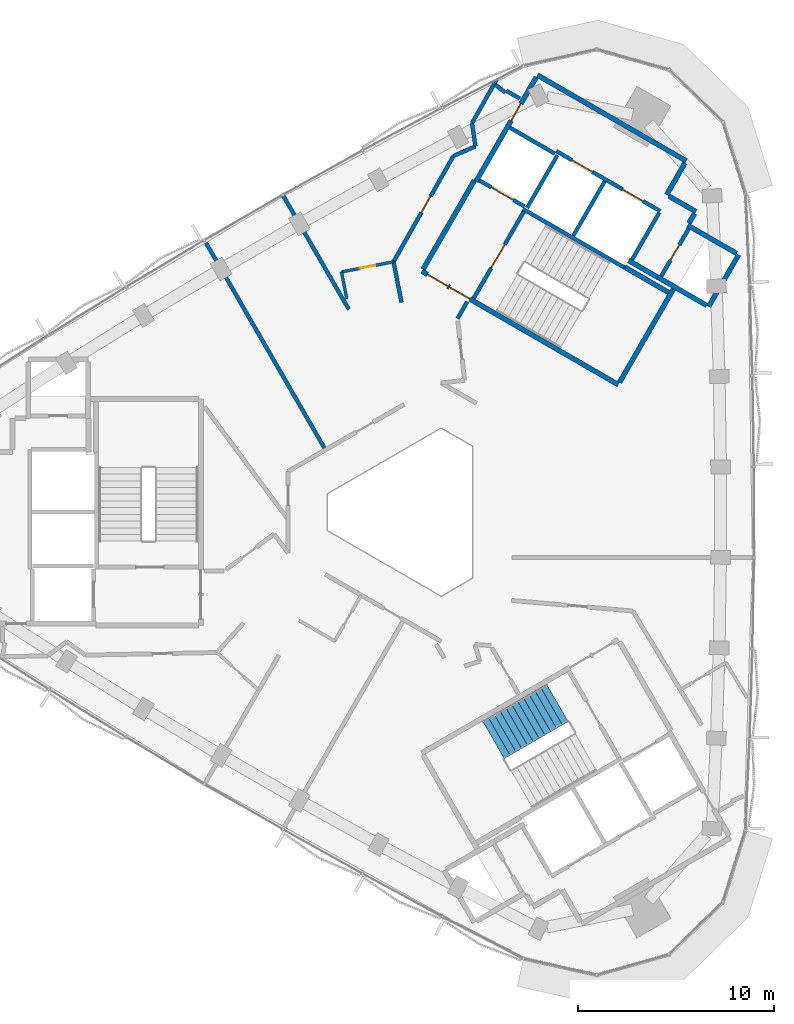
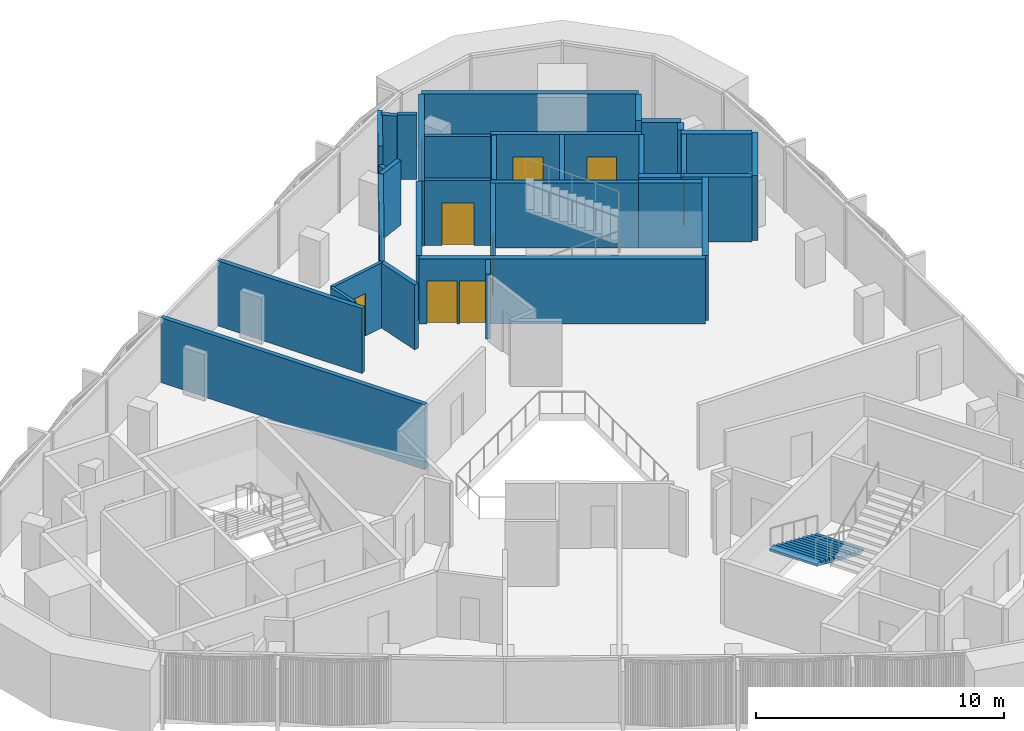
# One storey, part 8 of 13: 34 walls, 10 doors, 1 stair flight, 10 openings, 1 element without a shape of its own.
"""IFC4 building model written with IfcOpenShell, lengths in metres."""

from ifc_helpers import new_model, si_unit, direction, frame, frame_2d, origin, place, context, subcontext, project, spatial, polyline, rectangle, outline, extrude, material, layer, layer_set, type_object, element, fill, aggregate, save


model = new_model("IFC4")

# Units and contexts
model_context = context("Model", 3, precision=1e-05, world=origin(), true_north=direction((0.0, 1.0)))
body_context = subcontext(model_context, "Body", "Model", "MODEL_VIEW")
ifc_project = project(units=[si_unit("LENGTHUNIT", "METRE"), si_unit("AREAUNIT", "SQUARE_METRE"), si_unit("VOLUMEUNIT", "CUBIC_METRE"), si_unit("PLANEANGLEUNIT", "RADIAN"), si_unit("MASSUNIT", "GRAM", prefix="KILO")], contexts=[model_context])

# Site, building, storey
site_placement = place(None, origin())
site = spatial("IfcSite", under=ifc_project, at=site_placement, CompositionType="ELEMENT")
building_placement = place(site_placement, origin())
building = spatial("IfcBuilding", under=site, at=building_placement, Name="Tamra Quay Hotel Tower", CompositionType="ELEMENT")
storey_placement = place(building_placement, frame((0.0, 0.0, 298.199951171875)))
storey = spatial("IfcBuildingStorey", under=building, at=storey_placement, Name="L75", CompositionType="ELEMENT", Elevation=298.199951171875)

# Wall, openings, doors
ifc_material_1 = material(Name="Concrete M70", Category="concrete")
ifc_layer_1 = layer(ifc_material_1, 0.199951171875)
ifc_layer_set_1 = layer_set([ifc_layer_1], Name="Concrete M70 core wall 200")
wall_type_1 = type_object("IfcWallType", Name="Concrete M70 core wall 200", PredefinedType="SHEAR", material=ifc_layer_set_1)
wall_1_placement = place(storey_placement, frame((12.552490234375, 15.341552734375, 0.0), z_axis=(0.0, 0.0, 1.0), x_axis=(-0.866030299012, 0.499991521122, 0.0)))
wall_1 = element("IfcWall", 1, at=wall_1_placement, inside=storey, type_object=wall_type_1, Name="CW2", PredefinedType="SHEAR", context=body_context, shape_type="SweptSolid", body=[
    extrude(rectangle(XDim=6.10009765625, YDim=0.199951171875, at=frame_2d((3.050048828125, 0.0))), origin(), (0.0, 0.0, 1.0), 3.199951171875),
])
opening_1_placement = place(wall_1_placement, frame((1.0, 0.0, 0.0)))
opening_1 = element("IfcOpeningElement", 2, at=opening_1_placement, cuts=wall_1, Name="Opening LD", PredefinedType="OPENING", context=body_context, shape_type="SweptSolid", body=[
    extrude(rectangle(XDim=1.199951171875, YDim=2.10009765625, at=frame_2d((0.60009765625, 1.050048828125))), frame((0.0, 0.10986328125, 0.0), z_axis=(0.0, -1.0, 0.0), x_axis=(1.0, 0.0, 0.0)), (0.0, 0.0, 1.0), 0.219970703125),
])
opening_2_placement = place(wall_1_placement, frame((3.982177734375, 0.0, 0.0)))
opening_2 = element("IfcOpeningElement", 3, at=opening_2_placement, cuts=wall_1, Name="Opening LD", PredefinedType="OPENING", context=body_context, shape_type="SweptSolid", body=[
    extrude(rectangle(XDim=1.199951171875, YDim=2.10009765625, at=frame_2d((0.60009765625, 1.050048828125))), frame((0.0, 0.10986328125, 0.0), z_axis=(0.0, -1.0, 0.0), x_axis=(1.0, 0.0, 0.0)), (0.0, 0.0, 1.0), 0.219970703125),
])
ifc_material_2 = material(Name="Landing door LD 1200 double door sliding")
door_type_1 = type_object("IfcDoorType", Name="Landing door LD 1200 double door sliding", OperationType="DOUBLE_DOOR_SLIDING", PredefinedType="DOOR", material=ifc_material_2)
door_1_placement = place(opening_1_placement, origin())
door_1 = element("IfcDoor", 4, at=door_1_placement, inside=storey, type_object=door_type_1, Name="LD", OperationType="DOUBLE_DOOR_SLIDING", OverallHeight=2.10009765625, OverallWidth=1.199951171875, PredefinedType="DOOR", context=body_context, shape_type="SweptSolid", body=[
    extrude(rectangle(XDim=1.199951171875, YDim=2.10009765625, at=frame_2d((0.60009765625, 1.050048828125))), frame((0.0, 0.02490234375, 0.0), z_axis=(0.0, -1.0, 0.0), x_axis=(1.0, 0.0, 0.0)), (0.0, 0.0, 1.0), 0.050048828125),
])
fill(opening_1, door_1)
door_2_placement = place(opening_2_placement, origin())
door_2 = element("IfcDoor", 5, at=door_2_placement, inside=storey, type_object=door_type_1, Name="LD", OperationType="DOUBLE_DOOR_SLIDING", OverallHeight=2.10009765625, OverallWidth=1.199951171875, PredefinedType="DOOR", context=body_context, shape_type="SweptSolid", body=[
    extrude(rectangle(XDim=1.199951171875, YDim=2.10009765625, at=frame_2d((0.60009765625, 1.050048828125))), frame((0.0, 0.02490234375, 0.0), z_axis=(0.0, -1.0, 0.0), x_axis=(1.0, 0.0, 0.0)), (0.0, 0.0, 1.0), 0.050048828125),
])
fill(opening_2, door_2)

# Wall
wall_2_placement = place(storey_placement, frame((10.7431640625, 12.4599609375, 0.0), z_axis=(0.0, 0.0, 1.0), x_axis=(-0.866018848283, 0.500011354289, 0.0)))
element("IfcWall", 6, at=wall_2_placement, inside=storey, type_object=wall_type_1, Name="CW2", PredefinedType="SHEAR", context=body_context, shape_type="SweptSolid", body=[
    extrude(rectangle(XDim=5.973876953125, YDim=0.199951171875, at=frame_2d((2.98681640625, 0.0))), origin(), (0.0, 0.0, 1.0), 3.199951171875),
])

# Wall, opening, door
wall_3_placement = place(storey_placement, frame((3.056640625, 10.89453125, 0.0), z_axis=(0.0, 0.0, 1.0), x_axis=(0.500027839223, 0.866009330205, 0.0)))
wall_3 = element("IfcWall", 7, at=wall_3_placement, inside=storey, type_object=wall_type_1, Name="CW2", PredefinedType="SHEAR", context=body_context, shape_type="SweptSolid", body=[
    extrude(rectangle(XDim=5.097900390625, YDim=0.199951171875, at=frame_2d((2.548828125, 0.0))), origin(), (0.0, 0.0, 1.0), 3.199951171875),
])
opening_3_placement = place(wall_3_placement, frame((1.77392578125, 0.0, 0.0)))
opening_3 = element("IfcOpeningElement", 8, at=opening_3_placement, cuts=wall_3, Name="Opening FD2", PredefinedType="OPENING", context=body_context, shape_type="SweptSolid", body=[
    extrude(rectangle(XDim=1.39990234375, YDim=2.10009765625, at=frame_2d((0.699951171875, 1.050048828125))), frame((0.0, 0.10986328125, 0.0), z_axis=(0.0, -1.0, 0.0), x_axis=(1.0, 0.0, 0.0)), (0.0, 0.0, 1.0), 0.219970703125),
])
ifc_material_3 = material(Name="Core door FD2 1400x2100 LH")
door_type_2 = type_object("IfcDoorType", Name="Core door FD2 1400x2100 LH", OperationType="NOTDEFINED", PredefinedType="DOOR", material=ifc_material_3)
door_3_placement = place(opening_3_placement, origin())
door_3 = element("IfcDoor", 9, at=door_3_placement, inside=storey, type_object=door_type_2, Name="FD2", OperationType="SINGLE_SWING_LEFT", OverallHeight=2.10009765625, OverallWidth=1.39990234375, PredefinedType="DOOR", context=body_context, shape_type="SweptSolid", body=[
    extrude(rectangle(XDim=1.39990234375, YDim=2.10009765625, at=frame_2d((0.699951171875, 1.050048828125))), frame((0.0, 0.02490234375, 0.0), z_axis=(0.0, -1.0, 0.0), x_axis=(1.0, 0.0, 0.0)), (0.0, 0.0, 1.0), 0.050048828125),
])
fill(opening_3, door_3)

# Wall
wall_4_placement = place(storey_placement, frame((8.131591796875, 14.08447265625, 0.0), z_axis=(0.0, 0.0, 1.0), x_axis=(0.500030834389, 0.86600760081, 0.0)))
element("IfcWall", 10, at=wall_4_placement, inside=storey, type_object=wall_type_1, Name="CW2", PredefinedType="SHEAR", context=body_context, shape_type="SweptSolid", body=[
    extrude(rectangle(XDim=3.197998046875, YDim=0.199951171875, at=frame_2d((1.59912109375, 0.0))), origin(), (0.0, 0.0, 1.0), 3.199951171875),
])

# Wall, opening, door
wall_5_placement = place(storey_placement, frame((14.0078125, 14.442138671875, 0.0), z_axis=(0.0, 0.0, 1.0), x_axis=(-0.499986818241, -0.866033014143, 0.0)))
wall_5 = element("IfcWall", 11, at=wall_5_placement, inside=storey, type_object=wall_type_1, Name="CW2", PredefinedType="SHEAR", context=body_context, shape_type="SweptSolid", body=[
    extrude(rectangle(XDim=2.7978515625, YDim=0.199951171875, at=frame_2d((1.39892578125, 0.0))), origin(), (0.0, 0.0, 1.0), 3.199951171875),
])
opening_4_placement = place(wall_5_placement, frame((0.948974609375, 0.0, 0.0)))
opening_4 = element("IfcOpeningElement", 12, at=opening_4_placement, cuts=wall_5, Name="Opening D1", PredefinedType="OPENING", context=body_context, shape_type="SweptSolid", body=[
    extrude(rectangle(XDim=0.89990234375, YDim=2.10009765625, at=frame_2d((0.449951171875, 1.050048828125))), frame((0.0, 0.10986328125, 0.0), z_axis=(0.0, -1.0, 0.0), x_axis=(1.0, 0.0, 0.0)), (0.0, 0.0, 1.0), 0.219970703125),
])
ifc_material_4 = material(Name="Core door D1 900x2100 RH")
door_type_3 = type_object("IfcDoorType", Name="Core door D1 900x2100 RH", OperationType="NOTDEFINED", PredefinedType="DOOR", material=ifc_material_4)
door_4_placement = place(opening_4_placement, origin())
door_4 = element("IfcDoor", 13, at=door_4_placement, inside=storey, type_object=door_type_3, Name="D1", OperationType="SINGLE_SWING_RIGHT", OverallHeight=2.10009765625, OverallWidth=0.89990234375, PredefinedType="DOOR", context=body_context, shape_type="SweptSolid", body=[
    extrude(rectangle(XDim=0.89990234375, YDim=2.10009765625, at=frame_2d((0.449951171875, 1.050048828125))), frame((0.0, 0.02490234375, 0.0), z_axis=(0.0, -1.0, 0.0), x_axis=(1.0, 0.0, 0.0)), (0.0, 0.0, 1.0), 0.050048828125),
])
fill(opening_4, door_4)

# Walls
wall_6_placement = place(storey_placement, frame((12.50244140625, 15.2548828125, 0.0), z_axis=(0.0, 0.0, 1.0), x_axis=(-0.499965018551, -0.866045599391, 0.0)))
element("IfcWall", 14, at=wall_6_placement, inside=storey, type_object=wall_type_1, Name="CW2", PredefinedType="SHEAR", context=body_context, shape_type="SweptSolid", body=[
    extrude(rectangle(XDim=2.759033203125, YDim=0.199951171875, at=frame_2d((1.37939453125, 0.0))), origin(), (0.0, 0.0, 1.0), 3.199951171875),
])
wall_7_placement = place(storey_placement, frame((7.324462890625, 18.1865234375, 0.0), z_axis=(0.0, 0.0, 1.0), x_axis=(-0.499967891604, -0.866043940782, 0.0)))
element("IfcWall", 15, at=wall_7_placement, inside=storey, type_object=wall_type_1, Name="CW2", PredefinedType="SHEAR", context=body_context, shape_type="SweptSolid", body=[
    extrude(rectangle(XDim=3.099853515625, YDim=0.199951171875, at=frame_2d((1.5498046875, 0.0))), origin(), (0.0, 0.0, 1.0), 3.199951171875),
])

# Wall, opening, door
wall_8_placement = place(storey_placement, frame((5.646240234375, 15.575927734375, 0.0), z_axis=(0.0, 0.0, 1.0), x_axis=(-0.866018407898, 0.500012117035, 0.0)))
wall_8 = element("IfcWall", 16, at=wall_8_placement, inside=storey, type_object=wall_type_1, Name="CW2", PredefinedType="SHEAR", context=body_context, shape_type="SweptSolid", body=[
    extrude(rectangle(XDim=2.65087890625, YDim=0.199951171875, at=frame_2d((1.325439453125, 0.0))), origin(), (0.0, 0.0, 1.0), 3.199951171875),
])
opening_5_placement = place(wall_8_placement, frame((0.65185546875, 0.0, 0.0)))
opening_5 = element("IfcOpeningElement", 17, at=opening_5_placement, cuts=wall_8, Name="Opening LD", PredefinedType="OPENING", context=body_context, shape_type="SweptSolid", body=[
    extrude(rectangle(XDim=1.300048828125, YDim=2.10009765625, at=frame_2d((0.64990234375, 1.050048828125))), frame((0.0, 0.10986328125, 0.0), z_axis=(0.0, -1.0, 0.0), x_axis=(1.0, 0.0, 0.0)), (0.0, 0.0, 1.0), 0.219970703125),
])
ifc_material_5 = material(Name="Landing door LD 1300 sliding to left")
door_type_4 = type_object("IfcDoorType", Name="Landing door LD 1300 sliding to left", OperationType="NOTDEFINED", PredefinedType="DOOR", material=ifc_material_5)
door_5_placement = place(opening_5_placement, origin())
door_5 = element("IfcDoor", 18, at=door_5_placement, inside=storey, type_object=door_type_4, Name="LD", OperationType="SLIDING_TO_LEFT", OverallHeight=2.10009765625, OverallWidth=1.300048828125, PredefinedType="DOOR", context=body_context, shape_type="SweptSolid", body=[
    extrude(rectangle(XDim=1.300048828125, YDim=2.10009765625, at=frame_2d((0.64990234375, 1.050048828125))), frame((0.0, 0.02490234375, 0.0), z_axis=(0.0, -1.0, 0.0), x_axis=(1.0, 0.0, 0.0)), (0.0, 0.0, 1.0), 0.050048828125),
])
fill(opening_5, door_5)

# Wall
wall_9_placement = place(storey_placement, frame((7.1962890625, 18.260498046875, 0.0), z_axis=(0.0, 0.0, 1.0), x_axis=(-0.866018407898, 0.500012117035, 0.0)))
element("IfcWall", 19, at=wall_9_placement, inside=storey, type_object=wall_type_1, Name="CW2", PredefinedType="SHEAR", context=body_context, shape_type="SweptSolid", body=[
    extrude(rectangle(XDim=2.65087890625, YDim=0.199951171875, at=frame_2d((1.325439453125, 0.0))), origin(), (0.0, 0.0, 1.0), 3.199951171875),
])

# Wall, openings, doors
ifc_layer_2 = layer(ifc_material_1, 0.25)
ifc_layer_set_2 = layer_set([ifc_layer_2], Name="Concrete M70 core wall 250")
wall_type_2 = type_object("IfcWallType", Name="Concrete M70 core wall 250", PredefinedType="SHEAR", material=ifc_layer_set_2)
wall_10_placement = place(storey_placement, frame((10.419921875, 6.497802734375, 0.0), z_axis=(0.0, 0.0, 1.0), x_axis=(-0.866021906294, 0.500006057782, 0.0)))
wall_10 = element("IfcWall", 20, at=wall_10_placement, inside=storey, type_object=wall_type_2, Name="CW1", PredefinedType="SHEAR", context=body_context, shape_type="SweptSolid", body=[
    extrude(rectangle(XDim=11.550048828125, YDim=0.25, at=frame_2d((5.77490234375, 0.0))), origin(), (0.0, 0.0, 1.0), 3.199951171875),
])
opening_6_placement = place(wall_10_placement, frame((10.02490234375, 0.0, 0.0)))
opening_6 = element("IfcOpeningElement", 21, at=opening_6_placement, cuts=wall_10, Name="Opening FD1", PredefinedType="OPENING", context=body_context, shape_type="SweptSolid", body=[
    extrude(rectangle(XDim=1.199951171875, YDim=2.10009765625, at=frame_2d((0.60009765625, 1.050048828125))), frame((0.0, 0.135009765625, 0.0), z_axis=(0.0, -1.0, 0.0), x_axis=(1.0, 0.0, 0.0)), (0.0, 0.0, 1.0), 0.27001953125),
])
opening_7_placement = place(wall_10_placement, frame((8.724853515625, 0.0, 0.0)))
opening_7 = element("IfcOpeningElement", 22, at=opening_7_placement, cuts=wall_10, Name="Opening FD1", PredefinedType="OPENING", context=body_context, shape_type="SweptSolid", body=[
    extrude(rectangle(XDim=1.199951171875, YDim=2.10009765625, at=frame_2d((0.60009765625, 1.050048828125))), frame((0.0, 0.135009765625, 0.0), z_axis=(0.0, -1.0, 0.0), x_axis=(1.0, 0.0, 0.0)), (0.0, 0.0, 1.0), 0.27001953125),
])
ifc_material_6 = material(Name="Core door FD1 1200x2100 LH")
door_type_5 = type_object("IfcDoorType", Name="Core door FD1 1200x2100 LH", OperationType="NOTDEFINED", PredefinedType="DOOR", material=ifc_material_6)
door_6_placement = place(opening_6_placement, origin())
door_6 = element("IfcDoor", 23, at=door_6_placement, inside=storey, type_object=door_type_5, Name="FD1", OperationType="SINGLE_SWING_LEFT", OverallHeight=2.10009765625, OverallWidth=1.199951171875, PredefinedType="DOOR", context=body_context, shape_type="SweptSolid", body=[
    extrude(rectangle(XDim=1.199951171875, YDim=2.10009765625, at=frame_2d((0.60009765625, 1.050048828125))), frame((0.0, 0.02490234375, 0.0), z_axis=(0.0, -1.0, 0.0), x_axis=(1.0, 0.0, 0.0)), (0.0, 0.0, 1.0), 0.050048828125),
])
fill(opening_6, door_6)
ifc_material_7 = material(Name="Core door FD1 1200x2100 RH")
door_type_6 = type_object("IfcDoorType", Name="Core door FD1 1200x2100 RH", OperationType="NOTDEFINED", PredefinedType="DOOR", material=ifc_material_7)
door_7_placement = place(opening_7_placement, origin())
door_7 = element("IfcDoor", 24, at=door_7_placement, inside=storey, type_object=door_type_6, Name="FD1", OperationType="SINGLE_SWING_RIGHT", OverallHeight=2.10009765625, OverallWidth=1.199951171875, PredefinedType="DOOR", context=body_context, shape_type="SweptSolid", body=[
    extrude(rectangle(XDim=1.199951171875, YDim=2.10009765625, at=frame_2d((0.60009765625, 1.050048828125))), frame((0.0, 0.02490234375, 0.0), z_axis=(0.0, -1.0, 0.0), x_axis=(1.0, 0.0, 0.0)), (0.0, 0.0, 1.0), 0.050048828125),
])
fill(opening_7, door_7)

# Wall
wall_11_placement = place(storey_placement, frame((6.303955078125, 22.268798828125, 0.0), z_axis=(0.0, 0.0, 1.0), x_axis=(0.866022959057, -0.500004234368, 0.0)))
element("IfcWall", 25, at=wall_11_placement, inside=storey, type_object=wall_type_2, Name="CW1", PredefinedType="SHEAR", context=body_context, shape_type="SweptSolid", body=[
    extrude(rectangle(XDim=8.75, YDim=0.25, at=frame_2d((4.375, 0.0))), origin(), (0.0, 0.0, 1.0), 3.199951171875),
])

# Wall, opening, door
wall_12_placement = place(storey_placement, frame((3.178955078125, 16.856201171875, 0.0), z_axis=(0.0, 0.0, 1.0), x_axis=(0.500001955336, 0.866024274868, 0.0)))
wall_12 = element("IfcWall", 26, at=wall_12_placement, inside=storey, type_object=wall_type_2, Name="CW1", PredefinedType="SHEAR", context=body_context, shape_type="SweptSolid", body=[
    extrude(rectangle(XDim=6.12451171875, YDim=0.25, at=frame_2d((3.062255859375, 0.0))), origin(), (0.0, 0.0, 1.0), 3.199951171875),
])
opening_8_placement = place(wall_12_placement, frame((3.562744140625, 0.0, 0.0)))
opening_8 = element("IfcOpeningElement", 27, at=opening_8_placement, cuts=wall_12, Name="Opening FD3", PredefinedType="OPENING", context=body_context, shape_type="SweptSolid", body=[
    extrude(rectangle(XDim=1.0, YDim=2.10009765625, at=frame_2d((0.5, 1.050048828125))), frame((0.0, 0.135009765625, 0.0), z_axis=(0.0, -1.0, 0.0), x_axis=(1.0, 0.0, 0.0)), (0.0, 0.0, 1.0), 0.27001953125),
])
ifc_material_8 = material(Name="Core door FD3 1000x2100 LH")
door_type_7 = type_object("IfcDoorType", Name="Core door FD3 1000x2100 LH", OperationType="NOTDEFINED", PredefinedType="DOOR", material=ifc_material_8)
door_8_placement = place(opening_8_placement, origin())
door_8 = element("IfcDoor", 28, at=door_8_placement, inside=storey, type_object=door_type_7, Name="FD3", OperationType="SINGLE_SWING_LEFT", OverallHeight=2.10009765625, OverallWidth=1.0, PredefinedType="DOOR", context=body_context, shape_type="SweptSolid", body=[
    extrude(rectangle(XDim=1.0, YDim=2.10009765625, at=frame_2d((0.5, 1.050048828125))), frame((0.0, 0.02490234375, 0.0), z_axis=(0.0, -1.0, 0.0), x_axis=(1.0, 0.0, 0.0)), (0.0, 0.0, 1.0), 0.050048828125),
])
fill(opening_8, door_8)

# Walls
wall_13_placement = place(storey_placement, frame((0.47998046875, 12.38134765625, 0.0), z_axis=(0.0, 0.0, 1.0), x_axis=(0.49999885962, 0.866026062182, 0.0)))
element("IfcWall", 29, at=wall_13_placement, inside=storey, type_object=wall_type_2, Name="CW1", PredefinedType="SHEAR", context=body_context, shape_type="SweptSolid", body=[
    extrude(rectangle(XDim=5.224609375, YDim=0.25, at=frame_2d((2.6123046875, 0.0))), origin(), (0.0, 0.0, 1.0), 3.199951171875),
])
wall_14_placement = place(storey_placement, frame((13.237548828125, 11.3779296875, 0.0), z_axis=(0.0, 0.0, 1.0), x_axis=(-0.500008851346, -0.866020293397, 0.0)))
element("IfcWall", 30, at=wall_14_placement, inside=storey, type_object=wall_type_2, Name="CW1", PredefinedType="SHEAR", context=body_context, shape_type="SweptSolid", body=[
    extrude(rectangle(XDim=5.509765625, YDim=0.25, at=frame_2d((2.7548828125, 0.0))), origin(), (0.0, 0.0, 1.0), 3.199951171875),
])
wall_15_placement = place(storey_placement, frame((16.552001953125, 13.118896484375, 0.0), z_axis=(0.0, 0.0, 1.0), x_axis=(-0.499978833458, -0.866037623948, 0.0)))
element("IfcWall", 31, at=wall_15_placement, inside=storey, type_object=wall_type_2, Name="CW1", PredefinedType="SHEAR", context=body_context, shape_type="SweptSolid", body=[
    extrude(rectangle(XDim=3.050048828125, YDim=0.25, at=frame_2d((1.52490234375, 0.0))), origin(), (0.0, 0.0, 1.0), 3.199951171875),
])
wall_16_placement = place(storey_placement, frame((14.91845703125, 10.540283203125, 0.0), z_axis=(0.0, 0.0, 1.0), x_axis=(-0.866063538972, 0.499933942099, 0.0)))
element("IfcWall", 32, at=wall_16_placement, inside=storey, type_object=wall_type_2, Name="CW1", PredefinedType="SHEAR", context=body_context, shape_type="SweptSolid", body=[
    extrude(rectangle(XDim=2.86474609375, YDim=0.25, at=frame_2d((1.432373046875, 0.0))), origin(), (0.0, 0.0, 1.0), 3.199951171875),
])
wall_17_placement = place(storey_placement, frame((13.962646484375, 14.61376953125, 0.0), z_axis=(0.0, 0.0, 1.0), x_axis=(0.866042235819, -0.499970844928, 0.0)))
element("IfcWall", 33, at=wall_17_placement, inside=storey, type_object=wall_type_2, Name="CW1", PredefinedType="SHEAR", context=body_context, shape_type="SweptSolid", body=[
    extrude(rectangle(XDim=2.864501953125, YDim=0.25, at=frame_2d((1.43212890625, 0.0))), origin(), (0.0, 0.0, 1.0), 3.199951171875),
])
wall_18_placement = place(storey_placement, frame((10.756591796875, 12.481201171875, 0.0), z_axis=(0.0, 0.0, 1.0), x_axis=(0.866022940537, -0.500004266446, 0.0)))
element("IfcWall", 34, at=wall_18_placement, inside=storey, type_object=wall_type_2, Name="CW1", PredefinedType="SHEAR", context=body_context, shape_type="SweptSolid", body=[
    extrude(rectangle(XDim=2.57470703125, YDim=0.25, at=frame_2d((1.287353515625, 0.0))), origin(), (0.0, 0.0, 1.0), 3.199951171875),
])
wall_19_placement = place(storey_placement, frame((13.819091796875, 17.78515625, 0.0), z_axis=(0.0, 0.0, 1.0), x_axis=(-0.500039802285, -0.866002422705, 0.0)))
element("IfcWall", 35, at=wall_19_placement, inside=storey, type_object=wall_type_2, Name="CW1", PredefinedType="SHEAR", context=body_context, shape_type="SweptSolid", body=[
    extrude(rectangle(XDim=1.864501953125, YDim=0.25, at=frame_2d((0.93212890625, 0.0))), origin(), (0.0, 0.0, 1.0), 3.199951171875),
])
wall_20_placement = place(storey_placement, frame((12.4326171875, 11.9638671875, 0.0), z_axis=(0.0, 0.0, 1.0), x_axis=(-0.866038183914, 0.499977863513, 0.0)))
element("IfcWall", 36, at=wall_20_placement, inside=storey, type_object=wall_type_2, Name="CW1", PredefinedType="SHEAR", context=body_context, shape_type="SweptSolid", body=[
    extrude(rectangle(XDim=1.7099609375, YDim=0.25, at=frame_2d((0.85498046875, 0.0))), origin(), (0.0, 0.0, 1.0), 3.199951171875),
])
wall_21_placement = place(storey_placement, frame((12.995361328125, 16.107666015625, 0.0), z_axis=(0.0, 0.0, 1.0), x_axis=(0.866044474677, -0.49996696679, 0.0)))
element("IfcWall", 37, at=wall_21_placement, inside=storey, type_object=wall_type_2, Name="CW1", PredefinedType="SHEAR", context=body_context, shape_type="SweptSolid", body=[
    extrude(rectangle(XDim=1.58447265625, YDim=0.25, at=frame_2d((0.792236328125, 0.0))), origin(), (0.0, 0.0, 1.0), 3.199951171875),
])
wall_22_placement = place(storey_placement, frame((14.304931640625, 15.206787109375, 0.0), z_axis=(0.0, 0.0, 1.0), x_axis=(-0.499848422343, -0.866112899501, 0.0)))
element("IfcWall", 38, at=wall_22_placement, inside=storey, type_object=wall_type_2, Name="CW1", PredefinedType="SHEAR", context=body_context, shape_type="SweptSolid", body=[
    extrude(rectangle(XDim=0.559326171875, YDim=0.25, at=frame_2d((0.27978515625, 0.0))), origin(), (0.0, 0.0, 1.0), 3.199951171875),
])
ifc_material_9 = material(Name="Partition corridor wall")
ifc_layer_3 = layer(ifc_material_9, 0.199951171875)
ifc_layer_set_3 = layer_set([ifc_layer_3], Name="Partition corridor wall")
wall_type_3 = type_object("IfcWallType", Name="Partition corridor wall", PredefinedType="PARTITIONING", material=ifc_layer_set_3)
wall_23_placement = place(storey_placement, frame((-1.028076171875, 12.757080078125, 0.0), z_axis=(0.0, 0.0, 1.0), x_axis=(0.192202773855, -0.981355233197, 0.0)))
element("IfcWall", 39, at=wall_23_placement, inside=storey, type_object=wall_type_3, Name="W-C", PredefinedType="PARTITIONING", context=body_context, shape_type="SweptSolid", body=[
    extrude(rectangle(XDim=2.1123046875, YDim=0.199951171875, at=frame_2d((1.05615234375, 0.0))), origin(), (0.0, 0.0, 1.0), 3.199951171875),
])

# Wall, opening, door
wall_24_placement = place(storey_placement, frame((-1.027099609375, 12.757080078125, 0.0), z_axis=(0.0, 0.0, 1.0), x_axis=(0.492663063759, 0.870220147783, 0.0)))
wall_24 = element("IfcWall", 40, at=wall_24_placement, inside=storey, type_object=wall_type_3, Name="W-C", PredefinedType="PARTITIONING", context=body_context, shape_type="SweptSolid", body=[
    extrude(rectangle(XDim=6.18701171875, YDim=0.199951171875, at=frame_2d((3.093505859375, 0.0))), origin(), (0.0, 0.0, 1.0), 3.199951171875),
])
opening_9_placement = place(wall_24_placement, frame((2.886962890625, 0.0, 0.0)))
opening_9 = element("IfcOpeningElement", 41, at=opening_9_placement, cuts=wall_24, Name="Opening L75-D004", PredefinedType="OPENING", context=body_context, shape_type="SweptSolid", body=[
    extrude(rectangle(XDim=0.949951171875, YDim=2.10009765625, at=frame_2d((0.47509765625, 1.050048828125))), frame((0.0, 0.10986328125, 0.0), z_axis=(0.0, -1.0, 0.0), x_axis=(1.0, 0.0, 0.0)), (0.0, 0.0, 1.0), 0.219970703125),
])
ifc_material_10 = material(Name="Door guest room 950x2100")
door_type_8 = type_object("IfcDoorType", Name="Door guest room 950x2100", OperationType="NOTDEFINED", PredefinedType="DOOR", material=ifc_material_10)
door_9_placement = place(opening_9_placement, origin())
door_9 = element("IfcDoor", 42, at=door_9_placement, inside=storey, type_object=door_type_8, Name="L75-D004", OperationType="SINGLE_SWING_LEFT", OverallHeight=2.10009765625, OverallWidth=0.949951171875, PredefinedType="DOOR", context=body_context, shape_type="SweptSolid", body=[
    extrude(rectangle(XDim=0.949951171875, YDim=2.10009765625, at=frame_2d((0.47509765625, 1.050048828125))), frame((0.0, 0.02490234375, 0.0), z_axis=(0.0, -1.0, 0.0), x_axis=(1.0, 0.0, 0.0)), (0.0, 0.0, 1.0), 0.050048828125),
])
fill(opening_9, door_9)

# Walls
wall_25_placement = place(storey_placement, frame((2.02099609375, 18.14111328125, 0.0), z_axis=(0.0, 0.0, 1.0), x_axis=(0.914343087003, 0.404940389748, 0.0)))
element("IfcWall", 43, at=wall_25_placement, inside=storey, type_object=wall_type_3, Name="W-C", PredefinedType="PARTITIONING", context=body_context, shape_type="SweptSolid", body=[
    extrude(rectangle(XDim=1.229248046875, YDim=0.199951171875, at=frame_2d((0.61474609375, 0.0))), origin(), (0.0, 0.0, 1.0), 3.199951171875),
])
wall_26_placement = place(storey_placement, frame((2.23095703125, 9.864013671875, 0.0), z_axis=(0.0, 0.0, 1.0), x_axis=(0.499942098031, 0.866058830921, 0.0)))
element("IfcWall", 44, at=wall_26_placement, inside=storey, type_object=wall_type_3, Name="W-C", PredefinedType="PARTITIONING", context=body_context, shape_type="SweptSolid", body=[
    extrude(rectangle(XDim=0.994140625, YDim=0.199951171875, at=frame_2d((0.4970703125, 0.0))), origin(), (0.0, 0.0, 1.0), 3.199951171875),
])
wall_27_placement = place(storey_placement, frame((2.969970703125, 19.81689453125, 0.0), z_axis=(0.0, 0.0, 1.0), x_axis=(0.146986994932, -0.989138424752, 0.0)))
element("IfcWall", 45, at=wall_27_placement, inside=storey, type_object=wall_type_3, Name="W-C", PredefinedType="PARTITIONING", context=body_context, shape_type="SweptSolid", body=[
    extrude(rectangle(XDim=1.19091796875, YDim=0.199951171875, at=frame_2d((0.595458984375, 0.0))), origin(), (0.0, 0.0, 1.0), 2.2900390625),
])
wall_28_placement = place(storey_placement, frame((2.97021484375, 19.81787109375, 0.0), z_axis=(0.0, 0.0, 1.0), x_axis=(0.492727027301, 0.870183932607, 0.0)))
element("IfcWall", 46, at=wall_28_placement, inside=storey, type_object=wall_type_3, Name="W-C", PredefinedType="PARTITIONING", context=body_context, shape_type="SweptSolid", body=[
    extrude(rectangle(XDim=2.5458984375, YDim=0.199951171875, at=frame_2d((1.27294921875, 0.0))), origin(), (0.0, 0.0, 1.0), 3.199951171875),
])
wall_29_placement = place(storey_placement, frame((4.14599609375, 21.781982421875, 0.0), z_axis=(0.0, 0.0, 1.0), x_axis=(0.793977493121, -0.607947152652, 0.0)))
element("IfcWall", 47, at=wall_29_placement, inside=storey, type_object=wall_type_3, Name="W-C", PredefinedType="PARTITIONING", context=body_context, shape_type="SweptSolid", body=[
    extrude(rectangle(XDim=0.65625, YDim=0.199951171875, at=frame_2d((0.328125, 0.0))), origin(), (0.0, 0.0, 1.0), 3.199951171875),
])
wall_30_placement = place(storey_placement, frame((4.716064453125, 21.468017578125, 0.0), z_axis=(0.0, 0.0, 1.0), x_axis=(0.865912682783, -0.500195187698, 0.0)))
element("IfcWall", 48, at=wall_30_placement, inside=storey, type_object=wall_type_3, Name="W-C", PredefinedType="PARTITIONING", context=body_context, shape_type="SweptSolid", body=[
    extrude(rectangle(XDim=0.789794921875, YDim=0.199951171875, at=frame_2d((0.39501953125, 0.0))), origin(), (0.0, 0.0, 1.0), 3.199951171875),
])
ifc_material_11 = material(Name="Partition en-suite wall")
ifc_layer_4 = layer(ifc_material_11, 0.14990234375)
ifc_layer_set_4 = layer_set([ifc_layer_4], Name="Partition en-suite wall")
wall_type_4 = type_object("IfcWallType", Name="Partition en-suite wall", PredefinedType="PARTITIONING", material=ifc_layer_set_4)
wall_31_placement = place(storey_placement, frame((-3.677978515625, 12.238037109375, 0.0), z_axis=(0.0, 0.0, 1.0), x_axis=(0.192270029527, -0.981342058482, 0.0)))
element("IfcWall", 49, at=wall_31_placement, inside=storey, type_object=wall_type_4, Name="W-E", PredefinedType="PARTITIONING", context=body_context, shape_type="SweptSolid", body=[
    extrude(rectangle(XDim=1.404296875, YDim=0.14990234375, at=frame_2d((0.7021484375, 0.0))), origin(), (0.0, 0.0, 1.0), 3.199951171875),
])

# Wall, opening, door
wall_32_placement = place(storey_placement, frame((-3.677978515625, 12.238037109375, 0.0), z_axis=(0.0, 0.0, 1.0), x_axis=(0.98135189098, 0.192219837868, 0.0)))
wall_32 = element("IfcWall", 50, at=wall_32_placement, inside=storey, type_object=wall_type_4, Name="W-E", PredefinedType="PARTITIONING", context=body_context, shape_type="SweptSolid", body=[
    extrude(rectangle(XDim=2.7001953125, YDim=0.14990234375, at=frame_2d((1.35009765625, 0.0))), origin(), (0.0, 0.0, 1.0), 3.199951171875),
])
opening_10_placement = place(wall_32_placement, frame((0.9501953125, 0.0, 0.0)))
opening_10 = element("IfcOpeningElement", 51, at=opening_10_placement, cuts=wall_32, Name="Opening L75-D005", PredefinedType="OPENING", context=body_context, shape_type="SweptSolid", body=[
    extrude(rectangle(XDim=0.800048828125, YDim=2.10009765625, at=frame_2d((0.39990234375, 1.050048828125))), frame((0.0, 0.0849609375, 0.0), z_axis=(0.0, -1.0, 0.0), x_axis=(1.0, 0.0, 0.0)), (0.0, 0.0, 1.0), 0.169921875),
])
ifc_material_12 = material(Name="Door en-suite 800x2100")
door_type_9 = type_object("IfcDoorType", Name="Door en-suite 800x2100", OperationType="NOTDEFINED", PredefinedType="DOOR", material=ifc_material_12)
door_10_placement = place(opening_10_placement, origin())
door_10 = element("IfcDoor", 52, at=door_10_placement, inside=storey, type_object=door_type_9, Name="L75-D005", OperationType="SINGLE_SWING_LEFT", OverallHeight=2.10009765625, OverallWidth=0.800048828125, PredefinedType="DOOR", context=body_context, shape_type="SweptSolid", body=[
    extrude(rectangle(XDim=0.800048828125, YDim=2.10009765625, at=frame_2d((0.39990234375, 1.050048828125))), frame((0.0, 0.02490234375, 0.0), z_axis=(0.0, -1.0, 0.0), x_axis=(1.0, 0.0, 0.0)), (0.0, 0.0, 1.0), 0.050048828125),
])
fill(opening_10, door_10)

# Walls
ifc_material_13 = material(Name="Partition party wall")
ifc_layer_5 = layer(ifc_material_13, 0.199951171875)
ifc_layer_set_5 = layer_set([ifc_layer_5], Name="Partition party wall")
wall_type_5 = type_object("IfcWallType", Name="Partition party wall", PredefinedType="PARTITIONING", material=ifc_layer_set_5)
wall_33_placement = place(storey_placement, frame((-10.659423828125, 13.855712890625, 0.0), z_axis=(0.0, 0.0, 1.0), x_axis=(0.500004723409, -0.866022676706, 0.0)))
element("IfcWall", 53, at=wall_33_placement, inside=storey, type_object=wall_type_5, Name="W-P", PredefinedType="PARTITIONING", context=body_context, shape_type="SweptSolid", body=[
    extrude(rectangle(XDim=12.32861328125, YDim=0.199951171875, at=frame_2d((6.164306640625, 0.0))), origin(), (0.0, 0.0, 1.0), 3.199951171875),
])
wall_34_placement = place(storey_placement, frame((-6.669677734375, 16.1591796875, 0.0), z_axis=(0.0, 0.0, 1.0), x_axis=(0.50003223478, -0.866006792225, 0.0)))
element("IfcWall", 54, at=wall_34_placement, inside=storey, type_object=wall_type_5, Name="W-P", PredefinedType="PARTITIONING", context=body_context, shape_type="SweptSolid", body=[
    extrude(rectangle(XDim=6.73095703125, YDim=0.199951171875, at=frame_2d((3.365478515625, 0.0))), origin(), (0.0, 0.0, 1.0), 3.199951171875),
])

# Stair, stair flight
ifc_material_14 = material(Name="Exit stair 2200 24 risers 150.0 going 342")
stair_type = type_object("IfcStairType", Name="Exit stair 2200 24 risers 150.0 going 342", PredefinedType="HALF_TURN_STAIR", material=ifc_material_14)
stair_placement = place(storey_placement, origin())
stair = element("IfcStair", 55, at=stair_placement, inside=storey, type_object=stair_type, Name="L75 Exit stair ST2", PredefinedType="HALF_TURN_STAIR")
ifc_material_15 = material(Name="Exit stair flight 2200 12 risers 150.0")
stair_flight_type = type_object("IfcStairFlightType", Name="Exit stair flight 2200 12 risers 150.0", PredefinedType="STRAIGHT", material=ifc_material_15)
stair_flight_placement = place(storey_placement, frame((7.322998046875, -9.7236328125, 0.0), z_axis=(0.0, 0.0, 1.0), x_axis=(-0.866025403784, -0.5, 0.0)))
stair_flight = element("IfcStairFlight", 56, at=stair_flight_placement, type_object=stair_flight_type, Name="ST2 flight 1", NumberOfRisers=12, NumberOfTreads=11, PredefinedType="STRAIGHT", RiserHeight=0.15, TreadLength=0.342, context=body_context, shape_type="SweptSolid", body=[
    extrude(outline(polyline([(0.0, 0.0), (0.0, 0.14990234375), (0.342041015625, 0.14990234375), (0.342041015625, 0.300048828125), (0.68408203125, 0.300048828125), (0.68408203125, 0.449951171875), (1.02587890625, 0.449951171875), (1.02587890625, 0.60009765625), (1.367919921875, 0.60009765625), (1.367919921875, 0.75), (1.7099609375, 0.75), (1.7099609375, 0.89990234375), (2.052001953125, 0.89990234375), (2.052001953125, 1.050048828125), (2.39404296875, 1.050048828125), (2.39404296875, 1.199951171875), (2.736083984375, 1.199951171875), (2.736083984375, 1.35009765625), (3.077880859375, 1.35009765625), (3.077880859375, 1.5), (3.419921875, 1.5), (3.419921875, 1.64990234375), (3.761962890625, 1.64990234375), (3.761962890625, 1.800048828125), (3.761962890625, 1.540771484375), (0.249267578125, 0.0), (0.0, 0.0)])), frame((0.0, 1.10009765625, 0.0), z_axis=(0.0, -1.0, 0.0), x_axis=(1.0, 0.0, 0.0)), (0.0, 0.0, 1.0), 2.199951171875),
])
aggregate(stair, [stair_flight])

save(model, "model.ifc")
